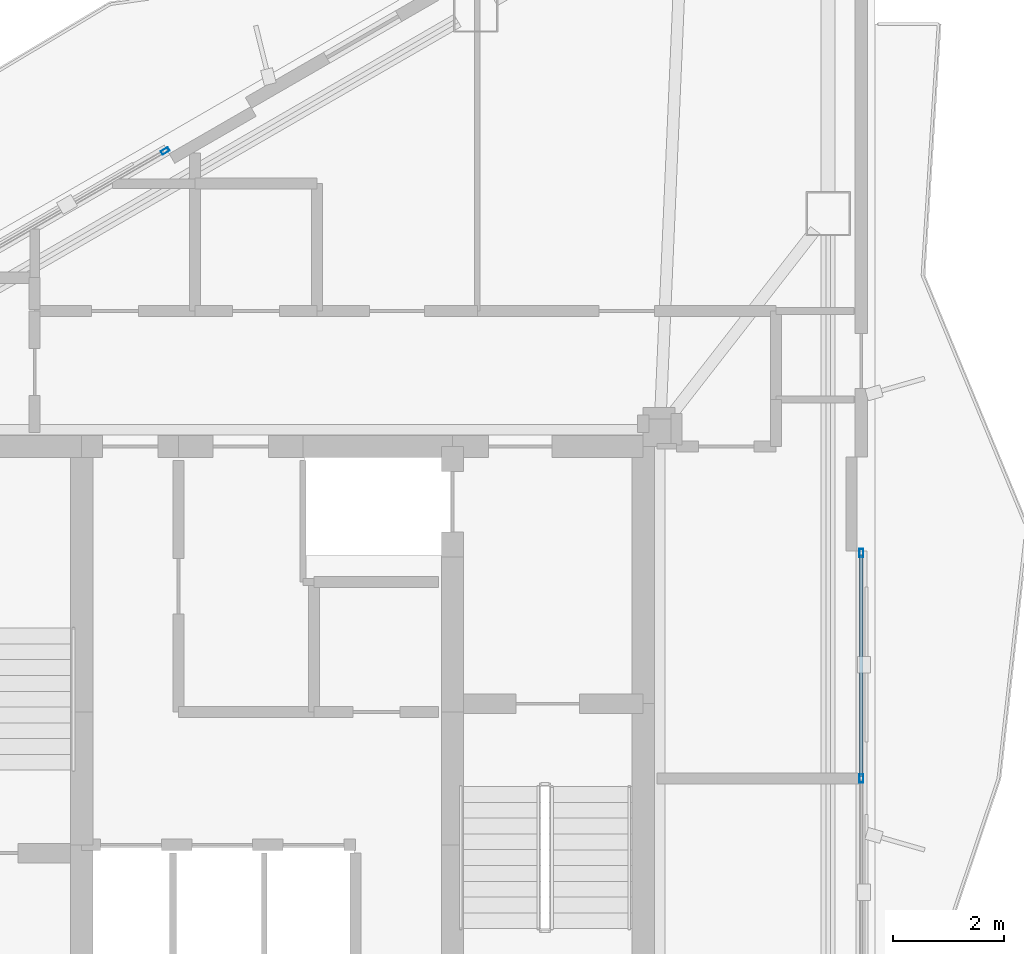
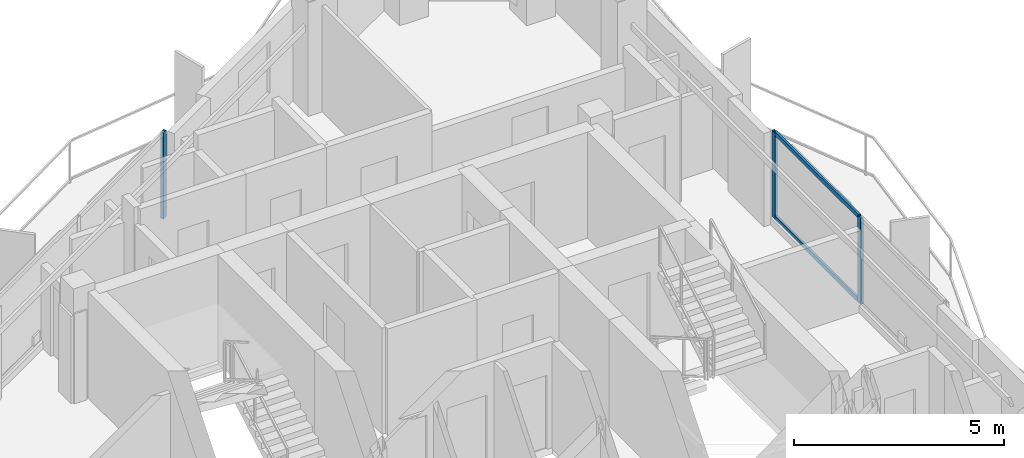
# One storey, part 12 of 18: 5 members, 2 elements without a shape of their own.
"""IFC4 building model written with IfcOpenShell, lengths in metres."""

from ifc_helpers import new_model, si_unit, direction, frame, origin, origin_2d, place, context, subcontext, project, spatial, hollow_rectangle, extrude, material, layer, layer_set, material_profile, profile_set, type_object, element, aggregate, save


model = new_model("IFC4")

# Units and contexts
model_context = context("Model", 3, precision=1e-05, world=origin(), true_north=direction((0.0, 1.0)))
body_context = subcontext(model_context, "Body", "Model", "MODEL_VIEW")
ifc_project = project(units=[si_unit("LENGTHUNIT", "METRE"), si_unit("AREAUNIT", "SQUARE_METRE"), si_unit("VOLUMEUNIT", "CUBIC_METRE"), si_unit("PLANEANGLEUNIT", "RADIAN"), si_unit("MASSUNIT", "GRAM", prefix="KILO")], contexts=[model_context])

# Site, building, storey
site_placement = place(None, origin())
site = spatial("IfcSite", under=ifc_project, at=site_placement, CompositionType="ELEMENT")
building_placement = place(site_placement, origin())
building = spatial("IfcBuilding", under=site, at=building_placement, Name="Mersakhor Tower and Convention Hall", CompositionType="ELEMENT")
storey_placement = place(building_placement, frame((0.0, 0.0, 236.39990234375)))
storey = spatial("IfcBuildingStorey", under=building, at=storey_placement, Name="L66", CompositionType="ELEMENT", Elevation=236.39990234375)

# Curtain wall, member
ifc_material_1 = material(Name="Dark solar low-E aluminium curtain wall", Category="aluminium")
ifc_layer = layer(ifc_material_1, 0.179931640625)
ifc_layer_set = layer_set([ifc_layer], Name="Dark solar low-E aluminium curtain wall")
curtain_wall_type = type_object("IfcCurtainWallType", Name="CW-SYS-03", PredefinedType="USERDEFINED", material=ifc_layer_set)
curtain_wall_1_placement = place(storey_placement, origin())
curtain_wall_1 = element("IfcCurtainWall", 1, at=curtain_wall_1_placement, inside=storey, type_object=curtain_wall_type, Name="L66 Dark-Glass Curtain Wall F1-B2", ObjectType="CURTAIN WALL", PredefinedType="USERDEFINED")
ifc_material_2 = material(Name="Anodised aluminium EN AW-6063 T6", Category="aluminium")
ifc_material_profile_1 = material_profile(ifc_material_2, hollow_rectangle(XDim=0.074951171875, YDim=0.14990234375, WallThickness=0.00634765625, at=origin_2d()), Name="RHS 150x75x6.3")
ifc_profile_set_1 = profile_set([ifc_material_profile_1], Name="Anodised aluminium EN AW-6063 T6")
member_type_1 = type_object("IfcMemberType", Name="CWM-150x75", PredefinedType="MULLION", material=ifc_profile_set_1)
member_1_placement = place(storey_placement, frame((27.158935546875, 38.091796875, 0.2001953125), z_axis=(0.0, 0.0, 1.0), x_axis=(-0.500004411169, 0.86602285698, 0.0)))
member_1 = element("IfcMember", 2, at=member_1_placement, type_object=member_type_1, Name="CW-03 mullion 3", PredefinedType="MULLION", context=body_context, shape_type="SweptSolid", body=[
    extrude(hollow_rectangle(XDim=0.074951171875, YDim=0.14990234375, WallThickness=0.00634765625, at=origin_2d()), origin(), (0.0, 0.0, 1.0), 2.5),
])
aggregate(curtain_wall_1, [member_1])

# Curtain wall, members
curtain_wall_2_placement = place(storey_placement, origin())
curtain_wall_2 = element("IfcCurtainWall", 3, at=curtain_wall_2_placement, inside=storey, type_object=curtain_wall_type, Name="L66 Dark-Glass Curtain Wall F2-B2", ObjectType="CURTAIN WALL", PredefinedType="USERDEFINED")
member_2_placement = place(storey_placement, frame((39.742919921875, 30.826416015625, 0.2001953125), z_axis=(0.0, 0.0, 1.0), x_axis=(1.0, 0.0, 0.0)))
member_2 = element("IfcMember", 4, at=member_2_placement, type_object=member_type_1, Name="CW-03 mullion 1", PredefinedType="MULLION", context=body_context, shape_type="SweptSolid", body=[
    extrude(hollow_rectangle(XDim=0.074951171875, YDim=0.14990234375, WallThickness=0.00634765625, at=origin_2d()), origin(), (0.0, 0.0, 1.0), 2.5),
])
member_3_placement = place(storey_placement, frame((39.742919921875, 26.75, 0.2001953125), z_axis=(0.0, 0.0, 1.0), x_axis=(1.0, 0.0, 0.0)))
member_3 = element("IfcMember", 5, at=member_3_placement, type_object=member_type_1, Name="CW-03 mullion 2", PredefinedType="MULLION", context=body_context, shape_type="SweptSolid", body=[
    extrude(hollow_rectangle(XDim=0.074951171875, YDim=0.14990234375, WallThickness=0.00634765625, at=origin_2d()), origin(), (0.0, 0.0, 1.0), 2.5),
])
ifc_material_3 = material(Name="Anodised aluminium EN AW-6063 T6", Category="aluminium")
ifc_material_profile_2 = material_profile(ifc_material_3, hollow_rectangle(XDim=0.06005859375, YDim=0.1201171875, WallThickness=0.0048828125, at=origin_2d()), Name="RHS 120x60x5")
ifc_profile_set_2 = profile_set([ifc_material_profile_2], Name="Anodised aluminium EN AW-6063 T6")
member_type_2 = type_object("IfcMemberType", Name="CWT-120x60", PredefinedType="USERDEFINED", material=ifc_profile_set_2)
member_4_placement = place(storey_placement, frame((39.742919921875, 30.788818359375, 0.22998046875), z_axis=(0.0, -1.0, 0.0), x_axis=(1.0, 0.0, 0.0)))
member_4 = element("IfcMember", 6, at=member_4_placement, type_object=member_type_2, Name="CW-03 transom 1.1", ObjectType="TRANSOM", PredefinedType="USERDEFINED", context=body_context, shape_type="SweptSolid", body=[
    extrude(hollow_rectangle(XDim=0.06005859375, YDim=0.1201171875, WallThickness=0.0048828125, at=origin_2d()), origin(), (0.0, 0.0, 1.0), 4.001220703125),
])
member_5_placement = place(storey_placement, frame((39.742919921875, 30.788818359375, 2.670166015625), z_axis=(0.0, -1.0, 0.0), x_axis=(1.0, 0.0, 0.0)))
member_5 = element("IfcMember", 7, at=member_5_placement, type_object=member_type_2, Name="CW-03 transom 1.2", ObjectType="TRANSOM", PredefinedType="USERDEFINED", context=body_context, shape_type="SweptSolid", body=[
    extrude(hollow_rectangle(XDim=0.06005859375, YDim=0.1201171875, WallThickness=0.0048828125, at=origin_2d()), origin(), (0.0, 0.0, 1.0), 4.001220703125),
])
aggregate(curtain_wall_2, [member_2, member_3, member_4, member_5])

save(model, "model.ifc")
